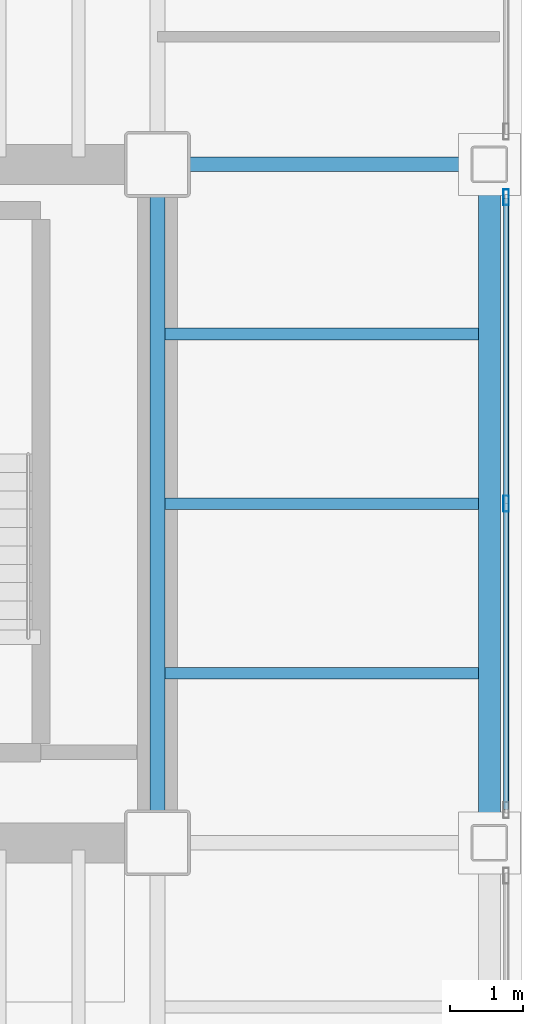
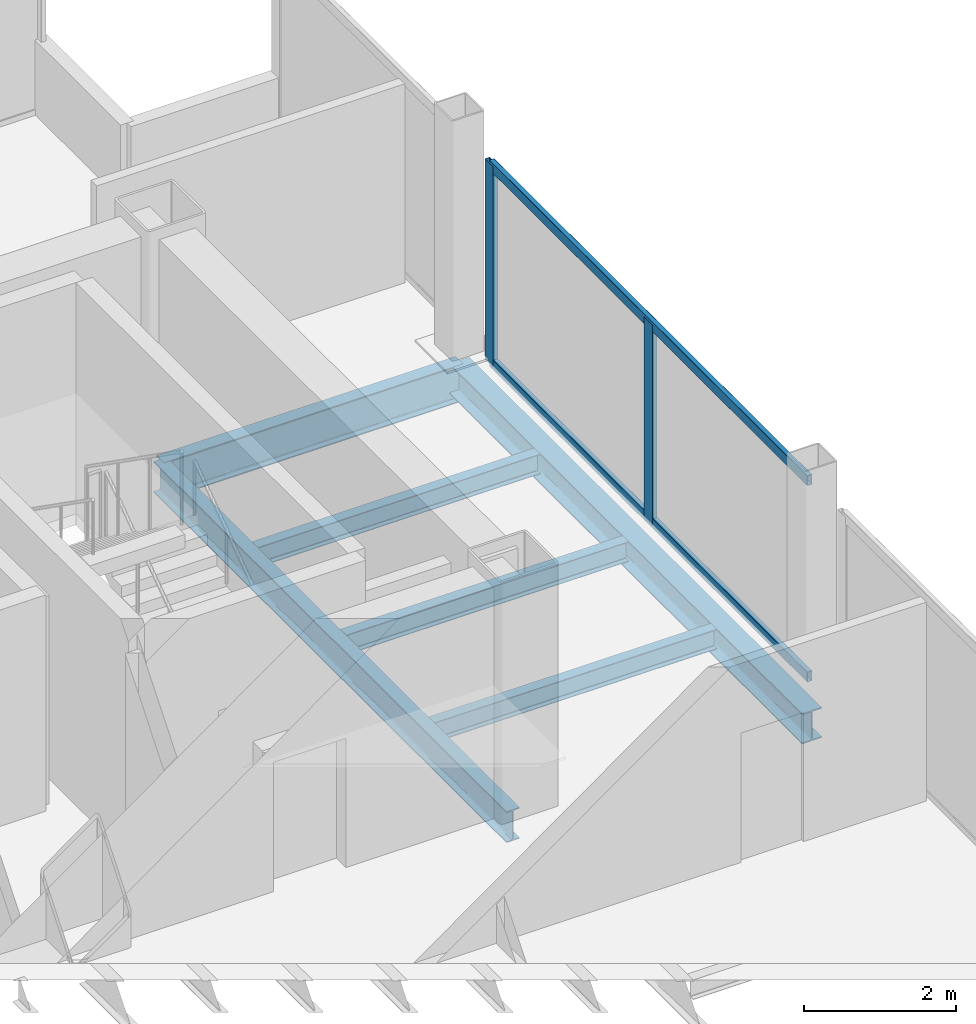
# One storey, part 13 of 18: 6 beams, 4 members, 1 element without a shape of its own.
"""IFC4 building model written with IfcOpenShell, lengths in metres."""

from ifc_helpers import new_model, si_unit, direction, frame, origin, origin_2d, place, context, subcontext, project, spatial, hollow_rectangle, i_section, extrude, material, material_profile, profile_set, type_object, element, aggregate, save


model = new_model("IFC4")

# Units and contexts
model_context = context("Model", 3, precision=1e-05, world=origin(), true_north=direction((0.0, 1.0)))
body_context = subcontext(model_context, "Body", "Model", "MODEL_VIEW")
ifc_project = project(units=[si_unit("LENGTHUNIT", "METRE"), si_unit("AREAUNIT", "SQUARE_METRE"), si_unit("VOLUMEUNIT", "CUBIC_METRE"), si_unit("PLANEANGLEUNIT", "RADIAN"), si_unit("MASSUNIT", "GRAM", prefix="KILO")], contexts=[model_context])

# Site, building, storey
site_placement = place(None, origin())
site = spatial("IfcSite", under=ifc_project, at=site_placement, CompositionType="ELEMENT")
building_placement = place(site_placement, origin())
building = spatial("IfcBuilding", under=site, at=building_placement, Name="Noeulbin Bourse Tower", CompositionType="ELEMENT")
storey_placement = place(building_placement, frame((0.0, 0.0, 161.699951171875)))
storey = spatial("IfcBuildingStorey", under=building, at=storey_placement, Name="L40", CompositionType="ELEMENT", Elevation=161.699951171875)

# Beams
ifc_material_1 = material(Name="Steel S355", Category="steel")
ifc_material_profile_1 = material_profile(ifc_material_1, i_section(OverallWidth=0.199951171875, OverallDepth=0.5, WebThickness=0.010009765625, FlangeThickness=0.01611328125, FilletRadius=0.02001953125, at=origin_2d()), Name="H-500x200x10x16", Category="LoadBearing")
ifc_profile_set_1 = profile_set([ifc_material_profile_1], Name="Steel S355")
beam_type_1 = type_object("IfcBeamType", Name="BM-GRD-500", PredefinedType="USERDEFINED", material=ifc_profile_set_1)
beam_1_placement = place(storey_placement, frame((44.0, 29.0, -0.429931640625), z_axis=(0.0, 1.0, 0.0), x_axis=(-1.0, 0.0, 0.0)))
element("IfcBeam", 1, at=beam_1_placement, inside=storey, type_object=beam_type_1, Name="Tower Primary Girder NS L40-5.3", ObjectType="GIRDER", PredefinedType="USERDEFINED", context=body_context, shape_type="SweptSolid", body=[
    extrude(i_section(OverallWidth=0.199951171875, OverallDepth=0.5, WebThickness=0.010009765625, FlangeThickness=0.01611328125, FilletRadius=0.02001953125, at=origin_2d()), origin(), (0.0, 0.0, 1.0), 9.300048828125),
])
ifc_material_profile_2 = material_profile(ifc_material_1, i_section(OverallWidth=0.199951171875, OverallDepth=0.60009765625, WebThickness=0.010986328125, FlangeThickness=0.01708984375, FilletRadius=0.02197265625, at=origin_2d()), Name="H-600x200x11x17", Category="LoadBearing")
ifc_profile_set_2 = profile_set([ifc_material_profile_2], Name="Steel S355")
beam_type_2 = type_object("IfcBeamType", Name="BM-GRD-600", PredefinedType="USERDEFINED", material=ifc_profile_set_2)
beam_2_placement = place(storey_placement, frame((44.0, 38.300048828125, -0.47998046875), z_axis=(1.0, 0.0, 0.0), x_axis=(0.0, 1.0, 0.0)))
element("IfcBeam", 2, at=beam_2_placement, inside=storey, type_object=beam_type_2, Name="Tower Primary Girder EW L40-3.5", ObjectType="GIRDER", PredefinedType="USERDEFINED", context=body_context, shape_type="SweptSolid", body=[
    extrude(i_section(OverallWidth=0.199951171875, OverallDepth=0.60009765625, WebThickness=0.010986328125, FlangeThickness=0.01708984375, FilletRadius=0.02197265625, at=origin_2d()), origin(), (0.0, 0.0, 1.0), 4.550048828125),
])
ifc_material_profile_3 = material_profile(ifc_material_1, i_section(OverallWidth=0.159912109375, OverallDepth=0.320068359375, WebThickness=0.006591796875, FlangeThickness=0.010009765625, FilletRadius=0.012939453125, at=origin_2d()), Name="H-320x160x6.5x10", Category="LoadBearing")
ifc_profile_set_3 = profile_set([ifc_material_profile_3], Name="Steel S355")
beam_type_3 = type_object("IfcBeamType", Name="BM-JST-320", PredefinedType="JOIST", material=ifc_profile_set_3)
for number, where, z_axis, x_axis, name in (
    (3, (44.10009765625, 31.324951171875, -0.33984375), (1.0, 0.0, 0.0), (0.0, 1.0, 0.0), "Wing Composite Joist L40-E76"),
    (4, (44.10009765625, 33.64990234375, -0.33984375), (1.0, 0.0, 0.0), (0.0, 1.0, 0.0), "Wing Composite Joist L40-E77"),
    (5, (44.10009765625, 35.97509765625, -0.33984375), (1.0, 0.0, 0.0), (0.0, 1.0, 0.0), "Wing Composite Joist L40-E78"),
):
    element("IfcBeam", number, at=place(storey_placement, frame(where, z_axis=z_axis, x_axis=x_axis)), inside=storey, type_object=beam_type_3, Name=name, PredefinedType="JOIST", context=body_context, shape_type="SweptSolid", body=[
        extrude(i_section(OverallWidth=0.159912109375, OverallDepth=0.320068359375, WebThickness=0.006591796875, FlangeThickness=0.010009765625, FilletRadius=0.012939453125, at=origin_2d()), origin(), (0.0, 0.0, 1.0), 4.2998046875),
    ])
ifc_material_profile_4 = material_profile(ifc_material_1, i_section(OverallWidth=0.300048828125, OverallDepth=0.488037109375, WebThickness=0.010986328125, FlangeThickness=0.01806640625, FilletRadius=0.02197265625, at=origin_2d()), Name="H-488x300x11x18", Category="LoadBearing")
ifc_profile_set_4 = profile_set([ifc_material_profile_4], Name="Steel S355")
beam_type_4 = type_object("IfcBeamType", Name="BM-SPN-488", PredefinedType="SPANDREL", material=ifc_profile_set_4)
beam_3_placement = place(storey_placement, frame((48.550048828125, 29.0, -0.424072265625), z_axis=(0.0, 1.0, 0.0), x_axis=(-1.0, 0.0, 0.0)))
element("IfcBeam", 6, at=beam_3_placement, inside=storey, type_object=beam_type_4, Name="East Spandrel L40-2", PredefinedType="SPANDREL", context=body_context, shape_type="SweptSolid", body=[
    extrude(i_section(OverallWidth=0.300048828125, OverallDepth=0.488037109375, WebThickness=0.010986328125, FlangeThickness=0.01806640625, FilletRadius=0.02197265625, at=origin_2d()), origin(), (0.0, 0.0, 1.0), 9.300048828125),
])

# Curtain wall, members
ifc_material_2 = material(Name="Dark Tinted Triple Glazing", Category="glass")
curtain_wall_type = type_object("IfcCurtainWallType", Name="CW-SYS-3", PredefinedType="NOTDEFINED", material=ifc_material_2)
curtain_wall_placement = place(storey_placement, origin())
curtain_wall = element("IfcCurtainWall", 7, at=curtain_wall_placement, inside=storey, type_object=curtain_wall_type, Name="Unitised Curtain Wall CW-L40-E-S2", PredefinedType="NOTDEFINED")
ifc_material_3 = material(Name="Anodised Aluminium 6063-T6", Category="aluminium")
ifc_material_profile_5 = material_profile(ifc_material_3, hollow_rectangle(XDim=0.074951171875, YDim=0.219970703125, WallThickness=0.0048828125, InnerFilletRadius=0.00244140625, OuterFilletRadius=0.0048828125, at=origin_2d()), Name="ALU-MULL-75x220x5", Category="LoadBearing")
ifc_profile_set_5 = profile_set([ifc_material_profile_5], Name="Anodised Aluminium 6063-T6")
member_type_1 = type_object("IfcMemberType", Name="CW-SYS-3-MUL", PredefinedType="MULLION", material=ifc_profile_set_5)
member_1_placement = place(storey_placement, frame((48.780029296875, 33.64990234375, -0.02001953125), z_axis=(0.0, 0.0, 1.0), x_axis=(1.0, 0.0, 0.0)))
member_1 = element("IfcMember", 8, at=member_1_placement, type_object=member_type_1, Name="Curtain Wall Mullion CW-L40-E-S2-M01", PredefinedType="MULLION", context=body_context, shape_type="SweptSolid", body=[
    extrude(hollow_rectangle(XDim=0.074951171875, YDim=0.219970703125, WallThickness=0.0048828125, InnerFilletRadius=0.00244140625, OuterFilletRadius=0.0048828125, at=origin_2d()), origin(), (0.0, 0.0, 1.0), 3.219970703125),
])
member_2_placement = place(storey_placement, frame((48.780029296875, 37.85009765625, -0.02001953125), z_axis=(0.0, 0.0, 1.0), x_axis=(1.0, 0.0, 0.0)))
member_2 = element("IfcMember", 9, at=member_2_placement, type_object=member_type_1, Name="Curtain Wall Mullion CW-L40-E-S2-M02", PredefinedType="MULLION", context=body_context, shape_type="SweptSolid", body=[
    extrude(hollow_rectangle(XDim=0.074951171875, YDim=0.219970703125, WallThickness=0.0048828125, InnerFilletRadius=0.00244140625, OuterFilletRadius=0.0048828125, at=origin_2d()), origin(), (0.0, 0.0, 1.0), 3.219970703125),
])
ifc_material_profile_6 = material_profile(ifc_material_3, hollow_rectangle(XDim=0.074951171875, YDim=0.159912109375, WallThickness=0.0048828125, InnerFilletRadius=0.00244140625, OuterFilletRadius=0.0048828125, at=origin_2d()), Name="ALU-TRAN-75x160x5", Category="LoadBearing")
ifc_profile_set_6 = profile_set([ifc_material_profile_6], Name="Anodised Aluminium 6063-T6")
member_type_2 = type_object("IfcMemberType", Name="CW-SYS-3-TRN", PredefinedType="USERDEFINED", material=ifc_profile_set_6)
member_3_placement = place(storey_placement, frame((48.780029296875, 29.4599609375, 0.010009765625), z_axis=(0.0, 1.0, 0.0), x_axis=(-1.0, 0.0, 0.0)))
member_3 = element("IfcMember", 10, at=member_3_placement, type_object=member_type_2, Name="Curtain Wall Transom CW-L40-E-S2-T00", ObjectType="TRANSOM", PredefinedType="USERDEFINED", context=body_context, shape_type="SweptSolid", body=[
    extrude(hollow_rectangle(XDim=0.074951171875, YDim=0.159912109375, WallThickness=0.0048828125, InnerFilletRadius=0.00244140625, OuterFilletRadius=0.0048828125, at=origin_2d()), origin(), (0.0, 0.0, 1.0), 8.380126953125),
])
member_4_placement = place(storey_placement, frame((48.780029296875, 29.4599609375, 3.170166015625), z_axis=(0.0, 1.0, 0.0), x_axis=(-1.0, 0.0, 0.0)))
member_4 = element("IfcMember", 11, at=member_4_placement, type_object=member_type_2, Name="Curtain Wall Transom CW-L40-E-S2-T01", ObjectType="TRANSOM", PredefinedType="USERDEFINED", context=body_context, shape_type="SweptSolid", body=[
    extrude(hollow_rectangle(XDim=0.074951171875, YDim=0.159912109375, WallThickness=0.0048828125, InnerFilletRadius=0.00244140625, OuterFilletRadius=0.0048828125, at=origin_2d()), origin(), (0.0, 0.0, 1.0), 8.380126953125),
])
aggregate(curtain_wall, [member_1, member_2, member_3, member_4])

save(model, "model.ifc")
